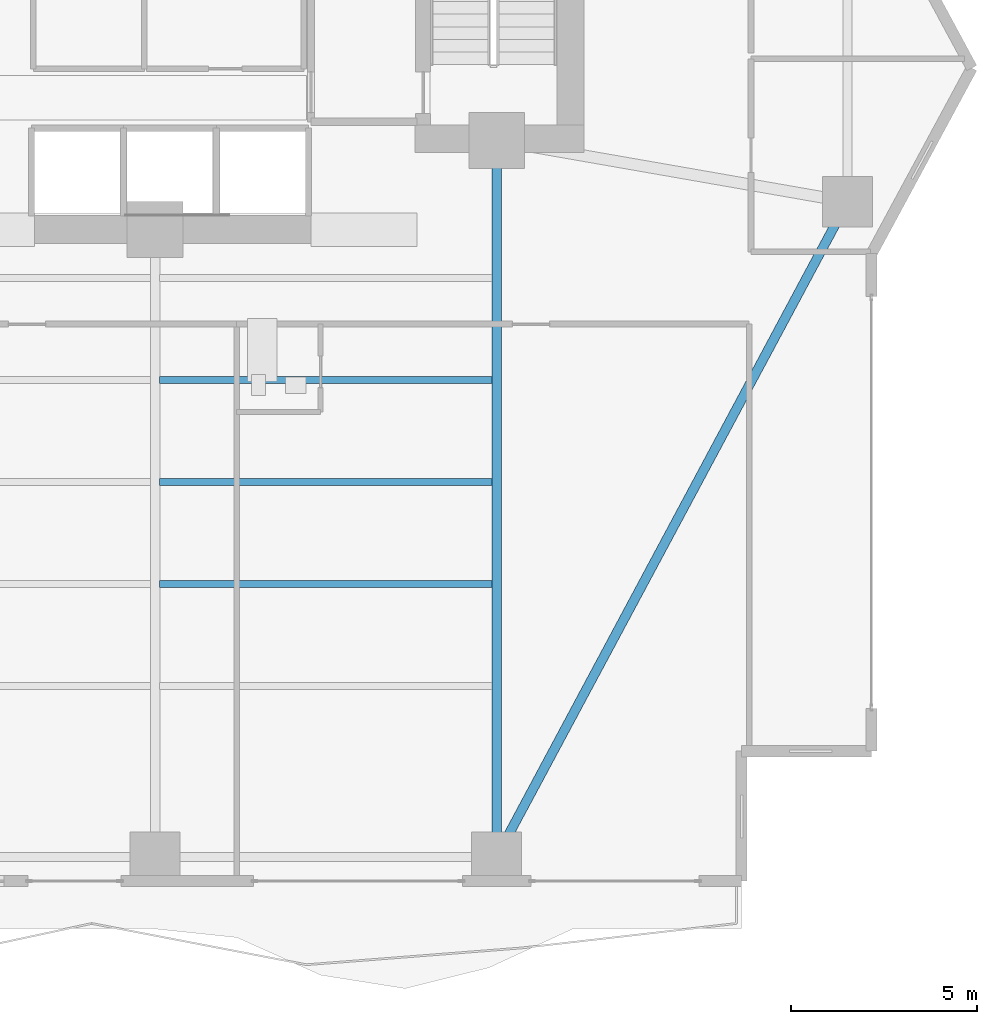
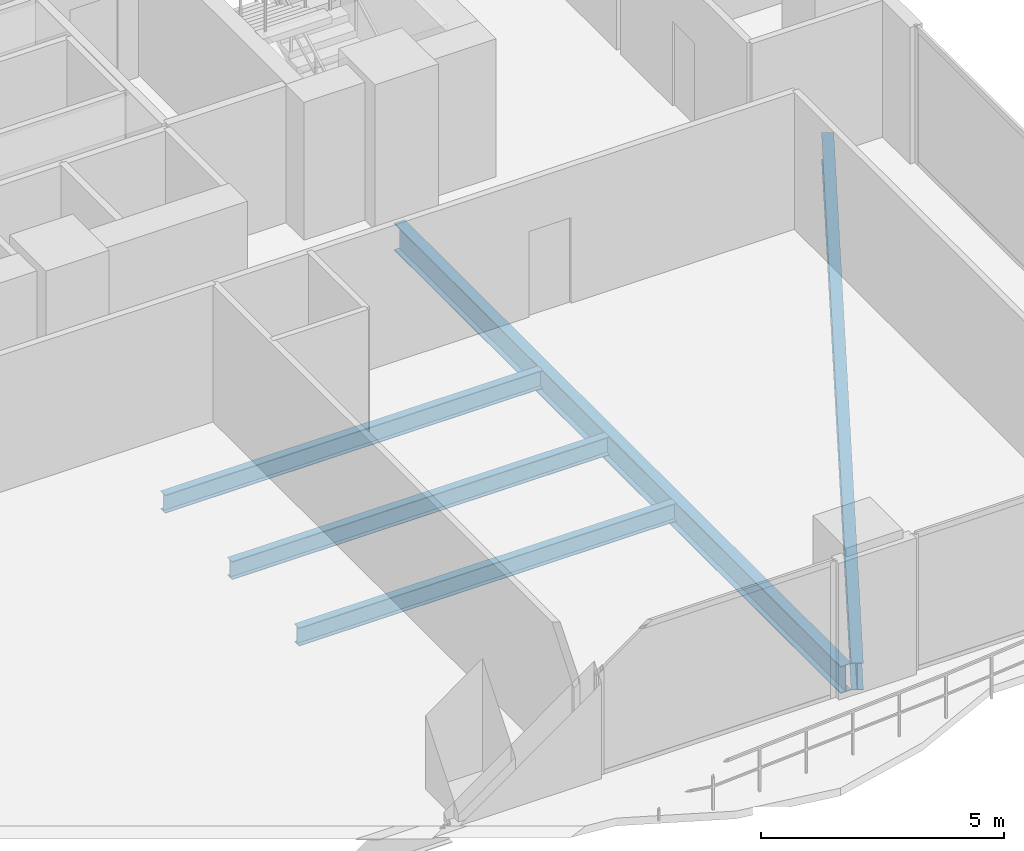
# One storey, part 10 of 29: 5 beams.
"""IFC4 building model written with IfcOpenShell, lengths in metres."""

from ifc_helpers import new_model, si_unit, direction, frame, origin, origin_2d, place, context, subcontext, project, spatial, i_section, extrude, material, material_profile, profile_set, type_object, element, save


model = new_model("IFC4")

# Units and contexts
model_context = context("Model", 3, precision=1e-05, world=origin(), true_north=direction((0.0, 1.0)))
body_context = subcontext(model_context, "Body", "Model", "MODEL_VIEW")
ifc_project = project(units=[si_unit("LENGTHUNIT", "METRE"), si_unit("AREAUNIT", "SQUARE_METRE"), si_unit("VOLUMEUNIT", "CUBIC_METRE"), si_unit("PLANEANGLEUNIT", "RADIAN"), si_unit("MASSUNIT", "GRAM", prefix="KILO")], contexts=[model_context])

# Site, building, storey
site_placement = place(None, origin())
site = spatial("IfcSite", under=ifc_project, at=site_placement, CompositionType="ELEMENT")
building_placement = place(site_placement, origin())
building = spatial("IfcBuilding", under=site, at=building_placement, Name="Zuhayl Quay Hotel", CompositionType="ELEMENT")
storey_placement = place(building_placement, frame((0.0, 0.0, 106.60009765625)))
storey = spatial("IfcBuildingStorey", under=building, at=storey_placement, Name="L26", CompositionType="ELEMENT", Elevation=106.60009765625)

# Beams
ifc_material = material(Name="Steel ASTM A992 Grade 50", Category="steel")
ifc_material_profile_1 = material_profile(ifc_material, i_section(OverallWidth=0.25390625, OverallDepth=0.68310546875, WebThickness=0.012451171875, FlangeThickness=0.018798828125, at=origin_2d()), Name="W27X94")
ifc_profile_set_1 = profile_set([ifc_material_profile_1], Name="Steel ASTM A992 Grade 50")
beam_type_1 = type_object("IfcBeamType", Name="BM_B2_W27X94", PredefinedType="BEAM", material=ifc_profile_set_1)
beam_1_placement = place(storey_placement, frame((14.035888671875, -14.30908203125, -0.5615234375), z_axis=(0.472017301959, 0.88158928456, 0.0), x_axis=(-0.88158928456, 0.472017301959, 0.0)))
element("IfcBeam", 1, at=beam_1_placement, inside=storey, type_object=beam_type_1, Name="L26 Floor Beam RG_L26_04", PredefinedType="BEAM", context=body_context, shape_type="SweptSolid", body=[
    extrude(i_section(OverallWidth=0.25390625, OverallDepth=0.68310546875, WebThickness=0.012451171875, FlangeThickness=0.018798828125, at=origin_2d()), origin(), (0.0, 0.0, 1.0), 19.0205078125),
])
beam_2_placement = place(storey_placement, frame((13.800048828125, -14.25, -0.5615234375), z_axis=(0.0, 1.0, 0.0), x_axis=(-1.0, 0.0, 0.0)))
element("IfcBeam", 2, at=beam_2_placement, inside=storey, type_object=beam_type_1, Name="L26 Floor Beam FG_S_L26_4", PredefinedType="BEAM", context=body_context, shape_type="SweptSolid", body=[
    extrude(i_section(OverallWidth=0.25390625, OverallDepth=0.68310546875, WebThickness=0.012451171875, FlangeThickness=0.018798828125, at=origin_2d()), origin(), (0.0, 0.0, 1.0), 18.35009765625),
])
ifc_material_profile_2 = material_profile(ifc_material, i_section(OverallWidth=0.18994140625, OverallDepth=0.45703125, WebThickness=0.009033203125, FlangeThickness=0.014404296875, at=origin_2d()), Name="W18X50")
ifc_profile_set_2 = profile_set([ifc_material_profile_2], Name="Steel ASTM A992 Grade 50")
beam_type_2 = type_object("IfcBeamType", Name="BM_J2_W18X50", PredefinedType="JOIST", material=ifc_profile_set_2)
for number, where, z_axis, x_axis, name in (
    (3, (4.718994140625, -7.39990234375, -0.448486328125), (1.0, 0.0, 0.0), (0.0, 1.0, 0.0), "L26 Floor Beam FJ_L26_6_3"),
    (4, (4.718994140625, -4.64990234375, -0.448486328125), (1.0, 0.0, 0.0), (0.0, 1.0, 0.0), "L26 Floor Beam FJ_L26_7_3"),
    (5, (4.718994140625, -1.89990234375, -0.448486328125), (1.0, 0.0, 0.0), (0.0, 1.0, 0.0), "L26 Floor Beam FJ_L26_8_3"),
):
    element("IfcBeam", number, at=place(storey_placement, frame(where, z_axis=z_axis, x_axis=x_axis)), inside=storey, type_object=beam_type_2, Name=name, PredefinedType="JOIST", context=body_context, shape_type="SweptSolid", body=[
        extrude(i_section(OverallWidth=0.18994140625, OverallDepth=0.45703125, WebThickness=0.009033203125, FlangeThickness=0.014404296875, at=origin_2d()), origin(), (0.0, 0.0, 1.0), 8.9619140625),
    ])

save(model, "model.ifc")
